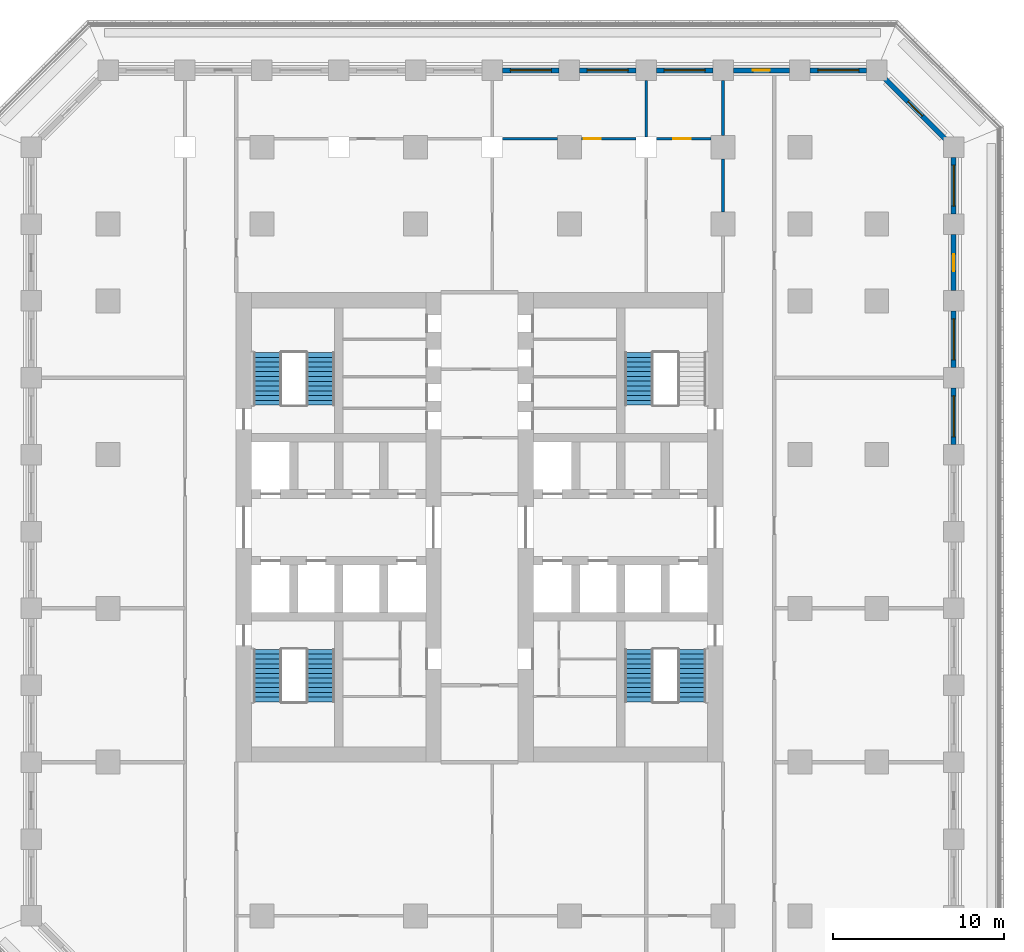
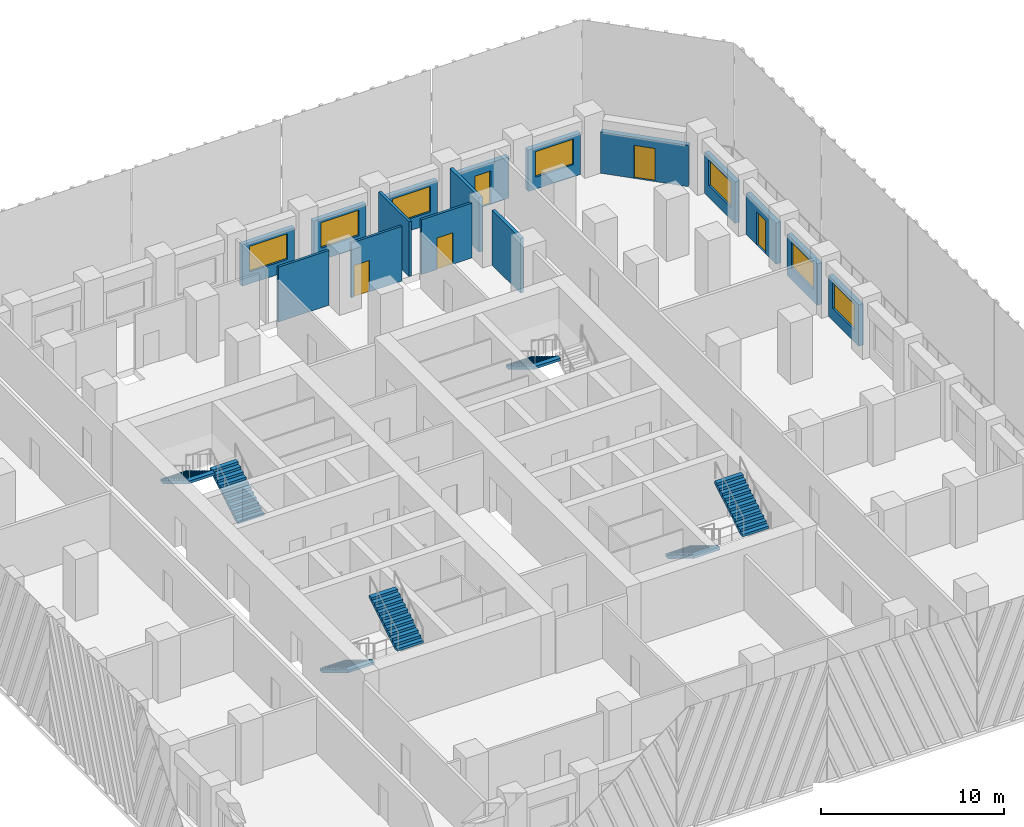
# One storey, part 8 of 19: 16 walls, 7 stair flights, 7 windows, 5 doors, 12 openings, 4 elements without a shape of their own.
"""IFC4 building model written with IfcOpenShell, lengths in metres."""

from ifc_helpers import new_model, si_unit, direction, frame, frame_2d, origin, place, context, subcontext, project, spatial, polyline, rectangle, outline, extrude, material, layer, layer_set, type_object, element, fill, aggregate, save


model = new_model("IFC4")

# Units and contexts
model_context = context("Model", 3, precision=1e-05, world=origin(), true_north=direction((0.0, 1.0)))
body_context = subcontext(model_context, "Body", "Model", "MODEL_VIEW")
ifc_project = project(units=[si_unit("LENGTHUNIT", "METRE"), si_unit("AREAUNIT", "SQUARE_METRE"), si_unit("VOLUMEUNIT", "CUBIC_METRE"), si_unit("PLANEANGLEUNIT", "RADIAN"), si_unit("MASSUNIT", "GRAM", prefix="KILO")], contexts=[model_context])

# Site, building, storey
site_placement = place(None, origin())
site = spatial("IfcSite", under=ifc_project, at=site_placement, CompositionType="ELEMENT")
building_placement = place(site_placement, origin())
building = spatial("IfcBuilding", under=site, at=building_placement, Name="Corbel Stack Research Tower", CompositionType="ELEMENT")
storey_placement = place(building_placement, frame((0.0, 0.0, 82.0)))
storey = spatial("IfcBuildingStorey", under=building, at=storey_placement, Name="L18", CompositionType="ELEMENT", Elevation=82.0)

# Walls
ifc_material_1 = material(Name="Fire-rated gypsum board partition on steel studs", Category="steel")
ifc_layer_1 = layer(ifc_material_1, 0.199951171875)
ifc_layer_set_1 = layer_set([ifc_layer_1], Name="Fire-rated gypsum board partition on steel studs")
wall_type_1 = type_object("IfcWallType", Name="Fire-rated partition 200 EI 60", PredefinedType="PARTITIONING", material=ifc_layer_set_1)
wall_1_placement = place(storey_placement, frame((18.0, 23.199951171875, 0.0), z_axis=(0.0, 0.0, 1.0), x_axis=(0.0, 1.0, 0.0)))
element("IfcWall", 1, at=wall_1_placement, inside=storey, type_object=wall_type_1, Name="Partition L18-014", PredefinedType="PARTITIONING", context=body_context, shape_type="SweptSolid", body=[
    extrude(rectangle(XDim=3.10009765625, YDim=0.199951171875, at=frame_2d((1.550048828125, 0.0))), origin(), (0.0, 0.0, 1.0), 3.64990234375),
])
wall_2_placement = place(storey_placement, frame((18.0, 27.699951171875, 0.0), z_axis=(0.0, 0.0, 1.0), x_axis=(0.0, 1.0, 0.0)))
element("IfcWall", 2, at=wall_2_placement, inside=storey, type_object=wall_type_1, Name="Partition L18-015", PredefinedType="PARTITIONING", context=body_context, shape_type="SweptSolid", body=[
    extrude(rectangle(XDim=3.199951171875, YDim=0.199951171875, at=frame_2d((1.60009765625, 0.0))), origin(), (0.0, 0.0, 1.0), 3.64990234375),
])
ifc_material_2 = material(Name="Gypsum board partition on steel studs", Category="steel")
ifc_layer_2 = layer(ifc_material_2, 0.14990234375)
ifc_layer_set_2 = layer_set([ifc_layer_2], Name="Gypsum board partition on steel studs")
wall_type_2 = type_object("IfcWallType", Name="Partition 150", PredefinedType="PARTITIONING", material=ifc_layer_set_2)
wall_3_placement = place(storey_placement, frame((13.5, 27.60009765625, 0.0), z_axis=(0.0, 0.0, 1.0), x_axis=(0.0, 1.0, 0.0)))
element("IfcWall", 3, at=wall_3_placement, inside=storey, type_object=wall_type_2, Name="Partition L18-009", PredefinedType="PARTITIONING", context=body_context, shape_type="SweptSolid", body=[
    extrude(rectangle(XDim=3.2998046875, YDim=0.14990234375, at=frame_2d((1.64990234375, 0.0))), origin(), (0.0, 0.0, 1.0), 3.64990234375),
])
wall_4_placement = place(storey_placement, frame((5.10009765625, 27.5, 0.0), z_axis=(0.0, 0.0, 1.0), x_axis=(1.0, 0.0, 0.0)))
element("IfcWall", 4, at=wall_4_placement, inside=storey, type_object=wall_type_2, Name="Partition L18-043", PredefinedType="PARTITIONING", context=body_context, shape_type="SweptSolid", body=[
    extrude(rectangle(XDim=3.199951171875, YDim=0.14990234375, at=frame_2d((1.60009765625, 0.0))), origin(), (0.0, 0.0, 1.0), 3.64990234375),
])

# Wall, opening, door
wall_5_placement = place(storey_placement, frame((9.699951171875, 27.5, 0.0), z_axis=(0.0, 0.0, 1.0), x_axis=(1.0, 0.0, 0.0)))
wall_5 = element("IfcWall", 5, at=wall_5_placement, inside=storey, type_object=wall_type_2, Name="Partition L18-044", PredefinedType="PARTITIONING", context=body_context, shape_type="SweptSolid", body=[
    extrude(rectangle(XDim=3.199951171875, YDim=0.14990234375, at=frame_2d((1.60009765625, 0.0))), origin(), (0.0, 0.0, 1.0), 3.64990234375),
])
opening_1_placement = place(wall_5_placement, frame((0.14990234375, 0.0, 0.0)))
opening_1 = element("IfcOpeningElement", 6, at=opening_1_placement, cuts=wall_5, Name="Opening B3V0H-023", PredefinedType="OPENING", context=body_context, shape_type="SweptSolid", body=[
    extrude(rectangle(XDim=1.0, YDim=2.10009765625, at=frame_2d((0.5, 1.050048828125))), frame((0.0, 0.0849609375, 0.0), z_axis=(0.0, -1.0, 0.0), x_axis=(1.0, 0.0, 0.0)), (0.0, 0.0, 1.0), 0.169921875),
])
ifc_material_3 = material(Name="Painted timber door", Category="wood")
door_type_1 = type_object("IfcDoorType", Name="Single door 1000 x 2100", OperationType="NOTDEFINED", PredefinedType="DOOR", material=ifc_material_3)
door_1_placement = place(opening_1_placement, origin())
door_1 = element("IfcDoor", 7, at=door_1_placement, inside=storey, type_object=door_type_1, Name="Door B3V0H-023", OperationType="SINGLE_SWING_LEFT", OverallHeight=2.10009765625, OverallWidth=1.0, PredefinedType="DOOR", context=body_context, shape_type="SweptSolid", body=[
    extrude(rectangle(XDim=1.0, YDim=2.10009765625, at=frame_2d((0.5, 1.050048828125))), frame((0.0, 0.02490234375, 0.0), z_axis=(0.0, -1.0, 0.0), x_axis=(1.0, 0.0, 0.0)), (0.0, 0.0, 1.0), 0.050048828125),
])
fill(opening_1, door_1)

wall_6_placement = place(storey_placement, frame((14.10009765625, 27.5, 0.0), z_axis=(0.0, 0.0, 1.0), x_axis=(1.0, 0.0, 0.0)))
wall_6 = element("IfcWall", 8, at=wall_6_placement, inside=storey, type_object=wall_type_2, Name="Partition L18-045", PredefinedType="PARTITIONING", context=body_context, shape_type="SweptSolid", body=[
    extrude(rectangle(XDim=3.199951171875, YDim=0.14990234375, at=frame_2d((1.60009765625, 0.0))), origin(), (0.0, 0.0, 1.0), 3.64990234375),
])
opening_2_placement = place(wall_6_placement, frame((1.0, 0.0, 0.0)))
opening_2 = element("IfcOpeningElement", 9, at=opening_2_placement, cuts=wall_6, Name="Opening B3V0H-024", PredefinedType="OPENING", context=body_context, shape_type="SweptSolid", body=[
    extrude(rectangle(XDim=1.0, YDim=2.10009765625, at=frame_2d((0.5, 1.050048828125))), frame((0.0, 0.0849609375, 0.0), z_axis=(0.0, -1.0, 0.0), x_axis=(1.0, 0.0, 0.0)), (0.0, 0.0, 1.0), 0.169921875),
])
door_2_placement = place(opening_2_placement, origin())
door_2 = element("IfcDoor", 10, at=door_2_placement, inside=storey, type_object=door_type_1, Name="Door B3V0H-024", OperationType="SINGLE_SWING_LEFT", OverallHeight=2.10009765625, OverallWidth=1.0, PredefinedType="DOOR", context=body_context, shape_type="SweptSolid", body=[
    extrude(rectangle(XDim=1.0, YDim=2.10009765625, at=frame_2d((0.5, 1.050048828125))), frame((0.0, 0.02490234375, 0.0), z_axis=(0.0, -1.0, 0.0), x_axis=(1.0, 0.0, 0.0)), (0.0, 0.0, 1.0), 0.050048828125),
])
fill(opening_2, door_2)

# Wall, opening, window
ifc_material_4 = material(Name="Concrete C45/55", Category="concrete")
ifc_layer_3 = layer(ifc_material_4, 0.300048828125)
ifc_layer_set_3 = layer_set([ifc_layer_3], Name="Concrete C45/55")
wall_type_3 = type_object("IfcWallType", Name="Terracotta-faced concrete wall 300", PredefinedType="SOLIDWALL", material=ifc_layer_set_3)
wall_7_placement = place(storey_placement, frame((31.5, 12.89990234375, 0.0), z_axis=(0.0, 0.0, 1.0), x_axis=(0.0, -1.0, 0.0)))
wall_7 = element("IfcWall", 11, at=wall_7_placement, inside=storey, type_object=wall_type_3, Name="Facade wall L18 E07", PredefinedType="SOLIDWALL", context=body_context, shape_type="SweptSolid", body=[
    extrude(rectangle(XDim=3.2998046875, YDim=0.300048828125, at=frame_2d((1.64990234375, 0.0))), origin(), (0.0, 0.0, 1.0), 2.75),
])
opening_3_placement = place(wall_7_placement, frame((0.449951171875, 0.0, 0.800048828125)))
opening_3 = element("IfcOpeningElement", 12, at=opening_3_placement, cuts=wall_7, Name="Opening W1", PredefinedType="OPENING", context=body_context, shape_type="SweptSolid", body=[
    extrude(rectangle(XDim=2.39990234375, YDim=1.699951171875, at=frame_2d((1.199951171875, 0.85009765625))), frame((0.0, 0.159912109375, 0.0), z_axis=(0.0, -1.0, 0.0), x_axis=(1.0, 0.0, 0.0)), (0.0, 0.0, 1.0), 0.320068359375),
])
ifc_material_5 = material(Name="Aluminium frame, clear double glazing", Category="aluminium")
window_type = type_object("IfcWindowType", Name="Window W1 2400 x 1700", PartitioningType="SINGLE_PANEL", PredefinedType="WINDOW", material=ifc_material_5)
window_1_placement = place(opening_3_placement, origin())
window_1 = element("IfcWindow", 13, at=window_1_placement, inside=storey, type_object=window_type, Name="Window W1 L18 E07", OverallHeight=1.699951171875, OverallWidth=2.39990234375, PartitioningType="SINGLE_PANEL", PredefinedType="WINDOW", context=body_context, shape_type="SweptSolid", body=[
    extrude(rectangle(XDim=2.39990234375, YDim=1.699951171875, at=frame_2d((1.199951171875, 0.85009765625))), frame((0.0, 0.030029296875, 0.0), z_axis=(0.0, -1.0, 0.0), x_axis=(1.0, 0.0, 0.0)), (0.0, 0.0, 1.0), 0.06005859375),
])
fill(opening_3, window_1)

wall_8_placement = place(storey_placement, frame((31.5, 17.39990234375, 0.0), z_axis=(0.0, 0.0, 1.0), x_axis=(0.0, -1.0, 0.0)))
wall_8 = element("IfcWall", 14, at=wall_8_placement, inside=storey, type_object=wall_type_3, Name="Facade wall L18 E08", PredefinedType="SOLIDWALL", context=body_context, shape_type="SweptSolid", body=[
    extrude(rectangle(XDim=3.2998046875, YDim=0.300048828125, at=frame_2d((1.64990234375, 0.0))), origin(), (0.0, 0.0, 1.0), 2.75),
])
opening_4_placement = place(wall_8_placement, frame((0.449951171875, 0.0, 0.800048828125)))
opening_4 = element("IfcOpeningElement", 15, at=opening_4_placement, cuts=wall_8, Name="Opening W1", PredefinedType="OPENING", context=body_context, shape_type="SweptSolid", body=[
    extrude(rectangle(XDim=2.39990234375, YDim=1.699951171875, at=frame_2d((1.199951171875, 0.85009765625))), frame((0.0, 0.159912109375, 0.0), z_axis=(0.0, -1.0, 0.0), x_axis=(1.0, 0.0, 0.0)), (0.0, 0.0, 1.0), 0.320068359375),
])
window_2_placement = place(opening_4_placement, origin())
window_2 = element("IfcWindow", 16, at=window_2_placement, inside=storey, type_object=window_type, Name="Window W1 L18 E08", OverallHeight=1.699951171875, OverallWidth=2.39990234375, PartitioningType="SINGLE_PANEL", PredefinedType="WINDOW", context=body_context, shape_type="SweptSolid", body=[
    extrude(rectangle(XDim=2.39990234375, YDim=1.699951171875, at=frame_2d((1.199951171875, 0.85009765625))), frame((0.0, 0.030029296875, 0.0), z_axis=(0.0, -1.0, 0.0), x_axis=(1.0, 0.0, 0.0)), (0.0, 0.0, 1.0), 0.06005859375),
])
fill(opening_4, window_2)

# Wall, opening, door
wall_9_placement = place(storey_placement, frame((31.5, 21.89990234375, 0.0), z_axis=(0.0, 0.0, 1.0), x_axis=(0.0, -1.0, 0.0)))
wall_9 = element("IfcWall", 17, at=wall_9_placement, inside=storey, type_object=wall_type_3, Name="Facade wall L18 E09", PredefinedType="SOLIDWALL", context=body_context, shape_type="SweptSolid", body=[
    extrude(rectangle(XDim=3.2998046875, YDim=0.300048828125, at=frame_2d((1.64990234375, 0.0))), origin(), (0.0, 0.0, 1.0), 2.75),
])
opening_5_placement = place(wall_9_placement, frame((1.14990234375, 0.0, 0.0)))
opening_5 = element("IfcOpeningElement", 18, at=opening_5_placement, cuts=wall_9, Name="Opening L18-B05", PredefinedType="OPENING", context=body_context, shape_type="SweptSolid", body=[
    extrude(rectangle(XDim=1.0, YDim=2.199951171875, at=frame_2d((0.5, 1.10009765625))), frame((0.0, 0.159912109375, 0.0), z_axis=(0.0, -1.0, 0.0), x_axis=(1.0, 0.0, 0.0)), (0.0, 0.0, 1.0), 0.320068359375),
])
ifc_material_6 = material(Name="Aluminium frame, clear double glazing", Category="aluminium")
door_type_2 = type_object("IfcDoorType", Name="Balcony door BD1 1000 x 2200", OperationType="NOTDEFINED", PredefinedType="DOOR", material=ifc_material_6)
door_3_placement = place(opening_5_placement, origin())
door_3 = element("IfcDoor", 19, at=door_3_placement, inside=storey, type_object=door_type_2, Name="Balcony door L18-B05", OperationType="SINGLE_SWING_LEFT", OverallHeight=2.199951171875, OverallWidth=1.0, PredefinedType="DOOR", context=body_context, shape_type="SweptSolid", body=[
    extrude(rectangle(XDim=1.0, YDim=2.199951171875, at=frame_2d((0.5, 1.10009765625))), frame((0.0, 0.02490234375, 0.0), z_axis=(0.0, -1.0, 0.0), x_axis=(1.0, 0.0, 0.0)), (0.0, 0.0, 1.0), 0.050048828125),
])
fill(opening_5, door_3)

# Wall, opening, window
wall_10_placement = place(storey_placement, frame((31.5, 26.39990234375, 0.0), z_axis=(0.0, 0.0, 1.0), x_axis=(0.0, -1.0, 0.0)))
wall_10 = element("IfcWall", 20, at=wall_10_placement, inside=storey, type_object=wall_type_3, Name="Facade wall L18 E10", PredefinedType="SOLIDWALL", context=body_context, shape_type="SweptSolid", body=[
    extrude(rectangle(XDim=3.2998046875, YDim=0.300048828125, at=frame_2d((1.64990234375, 0.0))), origin(), (0.0, 0.0, 1.0), 2.75),
])
opening_6_placement = place(wall_10_placement, frame((0.449951171875, 0.0, 0.800048828125)))
opening_6 = element("IfcOpeningElement", 21, at=opening_6_placement, cuts=wall_10, Name="Opening W1", PredefinedType="OPENING", context=body_context, shape_type="SweptSolid", body=[
    extrude(rectangle(XDim=2.39990234375, YDim=1.699951171875, at=frame_2d((1.199951171875, 0.85009765625))), frame((0.0, 0.159912109375, 0.0), z_axis=(0.0, -1.0, 0.0), x_axis=(1.0, 0.0, 0.0)), (0.0, 0.0, 1.0), 0.320068359375),
])
window_3_placement = place(opening_6_placement, origin())
window_3 = element("IfcWindow", 22, at=window_3_placement, inside=storey, type_object=window_type, Name="Window W1 L18 E10", OverallHeight=1.699951171875, OverallWidth=2.39990234375, PartitioningType="SINGLE_PANEL", PredefinedType="WINDOW", context=body_context, shape_type="SweptSolid", body=[
    extrude(rectangle(XDim=2.39990234375, YDim=1.699951171875, at=frame_2d((1.199951171875, 0.85009765625))), frame((0.0, 0.030029296875, 0.0), z_axis=(0.0, -1.0, 0.0), x_axis=(1.0, 0.0, 0.0)), (0.0, 0.0, 1.0), 0.06005859375),
])
fill(opening_6, window_3)

# Wall, opening, door
wall_11_placement = place(storey_placement, frame((27.493896484375, 31.006103515625, 0.0), z_axis=(0.0, 0.0, 1.0), x_axis=(0.707106781187, -0.707106781187, 0.0)))
wall_11 = element("IfcWall", 23, at=wall_11_placement, inside=storey, type_object=wall_type_3, Name="Facade wall L18 NE01", PredefinedType="SOLIDWALL", context=body_context, shape_type="SweptSolid", body=[
    extrude(rectangle(XDim=4.967041015625, YDim=0.300048828125, at=frame_2d((2.4833984375, 0.0))), origin(), (0.0, 0.0, 1.0), 2.75),
])
opening_7_placement = place(wall_11_placement, frame((1.883544921875, 0.0, 0.0)))
opening_7 = element("IfcOpeningElement", 24, at=opening_7_placement, cuts=wall_11, Name="Opening L18-B06", PredefinedType="OPENING", context=body_context, shape_type="SweptSolid", body=[
    extrude(rectangle(XDim=1.199951171875, YDim=2.199951171875, at=frame_2d((0.60009765625, 1.10009765625))), frame((0.0, 0.159912109375, 0.0), z_axis=(0.0, -1.0, 0.0), x_axis=(1.0, 0.0, 0.0)), (0.0, 0.0, 1.0), 0.320068359375),
])
ifc_material_7 = material(Name="Aluminium frame, clear double glazing", Category="aluminium")
door_type_3 = type_object("IfcDoorType", Name="Balcony door BD2 1200 x 2200", OperationType="NOTDEFINED", PredefinedType="DOOR", material=ifc_material_7)
door_4_placement = place(opening_7_placement, origin())
door_4 = element("IfcDoor", 25, at=door_4_placement, inside=storey, type_object=door_type_3, Name="Balcony door L18-B06", OperationType="SINGLE_SWING_LEFT", OverallHeight=2.199951171875, OverallWidth=1.199951171875, PredefinedType="DOOR", context=body_context, shape_type="SweptSolid", body=[
    extrude(rectangle(XDim=1.199951171875, YDim=2.199951171875, at=frame_2d((0.60009765625, 1.10009765625))), frame((0.0, 0.02490234375, 0.0), z_axis=(0.0, -1.0, 0.0), x_axis=(1.0, 0.0, 0.0)), (0.0, 0.0, 1.0), 0.050048828125),
])
fill(opening_7, door_4)

# Wall, opening, window
wall_12_placement = place(storey_placement, frame((23.10009765625, 31.5, 0.0), z_axis=(0.0, 0.0, 1.0), x_axis=(1.0, 0.0, 0.0)))
wall_12 = element("IfcWall", 26, at=wall_12_placement, inside=storey, type_object=wall_type_3, Name="Facade wall L18 N01", PredefinedType="SOLIDWALL", context=body_context, shape_type="SweptSolid", body=[
    extrude(rectangle(XDim=3.2998046875, YDim=0.300048828125, at=frame_2d((1.64990234375, 0.0))), origin(), (0.0, 0.0, 1.0), 2.75),
])
opening_8_placement = place(wall_12_placement, frame((0.449951171875, 0.0, 0.800048828125)))
opening_8 = element("IfcOpeningElement", 27, at=opening_8_placement, cuts=wall_12, Name="Opening W1", PredefinedType="OPENING", context=body_context, shape_type="SweptSolid", body=[
    extrude(rectangle(XDim=2.39990234375, YDim=1.699951171875, at=frame_2d((1.199951171875, 0.85009765625))), frame((0.0, 0.159912109375, 0.0), z_axis=(0.0, -1.0, 0.0), x_axis=(1.0, 0.0, 0.0)), (0.0, 0.0, 1.0), 0.320068359375),
])
window_4_placement = place(opening_8_placement, origin())
window_4 = element("IfcWindow", 28, at=window_4_placement, inside=storey, type_object=window_type, Name="Window W1 L18 N01", OverallHeight=1.699951171875, OverallWidth=2.39990234375, PartitioningType="SINGLE_PANEL", PredefinedType="WINDOW", context=body_context, shape_type="SweptSolid", body=[
    extrude(rectangle(XDim=2.39990234375, YDim=1.699951171875, at=frame_2d((1.199951171875, 0.85009765625))), frame((0.0, 0.030029296875, 0.0), z_axis=(0.0, -1.0, 0.0), x_axis=(1.0, 0.0, 0.0)), (0.0, 0.0, 1.0), 0.06005859375),
])
fill(opening_8, window_4)

# Wall, opening, door
wall_13_placement = place(storey_placement, frame((18.60009765625, 31.5, 0.0), z_axis=(0.0, 0.0, 1.0), x_axis=(1.0, 0.0, 0.0)))
wall_13 = element("IfcWall", 29, at=wall_13_placement, inside=storey, type_object=wall_type_3, Name="Facade wall L18 N02", PredefinedType="SOLIDWALL", context=body_context, shape_type="SweptSolid", body=[
    extrude(rectangle(XDim=3.2998046875, YDim=0.300048828125, at=frame_2d((1.64990234375, 0.0))), origin(), (0.0, 0.0, 1.0), 2.75),
])
opening_9_placement = place(wall_13_placement, frame((1.14990234375, 0.0, 0.0)))
opening_9 = element("IfcOpeningElement", 30, at=opening_9_placement, cuts=wall_13, Name="Opening L18-B07", PredefinedType="OPENING", context=body_context, shape_type="SweptSolid", body=[
    extrude(rectangle(XDim=1.0, YDim=2.199951171875, at=frame_2d((0.5, 1.10009765625))), frame((0.0, 0.159912109375, 0.0), z_axis=(0.0, -1.0, 0.0), x_axis=(1.0, 0.0, 0.0)), (0.0, 0.0, 1.0), 0.320068359375),
])
door_5_placement = place(opening_9_placement, origin())
door_5 = element("IfcDoor", 31, at=door_5_placement, inside=storey, type_object=door_type_2, Name="Balcony door L18-B07", OperationType="SINGLE_SWING_RIGHT", OverallHeight=2.199951171875, OverallWidth=1.0, PredefinedType="DOOR", context=body_context, shape_type="SweptSolid", body=[
    extrude(rectangle(XDim=1.0, YDim=2.199951171875, at=frame_2d((0.5, 1.10009765625))), frame((0.0, 0.02490234375, 0.0), z_axis=(0.0, -1.0, 0.0), x_axis=(1.0, 0.0, 0.0)), (0.0, 0.0, 1.0), 0.050048828125),
])
fill(opening_9, door_5)

# Wall, opening, window
wall_14_placement = place(storey_placement, frame((14.10009765625, 31.5, 0.0), z_axis=(0.0, 0.0, 1.0), x_axis=(1.0, 0.0, 0.0)))
wall_14 = element("IfcWall", 32, at=wall_14_placement, inside=storey, type_object=wall_type_3, Name="Facade wall L18 N03", PredefinedType="SOLIDWALL", context=body_context, shape_type="SweptSolid", body=[
    extrude(rectangle(XDim=3.2998046875, YDim=0.300048828125, at=frame_2d((1.64990234375, 0.0))), origin(), (0.0, 0.0, 1.0), 2.75),
])
opening_10_placement = place(wall_14_placement, frame((0.449951171875, 0.0, 0.800048828125)))
opening_10 = element("IfcOpeningElement", 33, at=opening_10_placement, cuts=wall_14, Name="Opening W1", PredefinedType="OPENING", context=body_context, shape_type="SweptSolid", body=[
    extrude(rectangle(XDim=2.39990234375, YDim=1.699951171875, at=frame_2d((1.199951171875, 0.85009765625))), frame((0.0, 0.159912109375, 0.0), z_axis=(0.0, -1.0, 0.0), x_axis=(1.0, 0.0, 0.0)), (0.0, 0.0, 1.0), 0.320068359375),
])
window_5_placement = place(opening_10_placement, origin())
window_5 = element("IfcWindow", 34, at=window_5_placement, inside=storey, type_object=window_type, Name="Window W1 L18 N03", OverallHeight=1.699951171875, OverallWidth=2.39990234375, PartitioningType="SINGLE_PANEL", PredefinedType="WINDOW", context=body_context, shape_type="SweptSolid", body=[
    extrude(rectangle(XDim=2.39990234375, YDim=1.699951171875, at=frame_2d((1.199951171875, 0.85009765625))), frame((0.0, 0.030029296875, 0.0), z_axis=(0.0, -1.0, 0.0), x_axis=(1.0, 0.0, 0.0)), (0.0, 0.0, 1.0), 0.06005859375),
])
fill(opening_10, window_5)

wall_15_placement = place(storey_placement, frame((9.60009765625, 31.5, 0.0), z_axis=(0.0, 0.0, 1.0), x_axis=(1.0, 0.0, 0.0)))
wall_15 = element("IfcWall", 35, at=wall_15_placement, inside=storey, type_object=wall_type_3, Name="Facade wall L18 N04", PredefinedType="SOLIDWALL", context=body_context, shape_type="SweptSolid", body=[
    extrude(rectangle(XDim=3.2998046875, YDim=0.300048828125, at=frame_2d((1.64990234375, 0.0))), origin(), (0.0, 0.0, 1.0), 2.75),
])
opening_11_placement = place(wall_15_placement, frame((0.449951171875, 0.0, 0.800048828125)))
opening_11 = element("IfcOpeningElement", 36, at=opening_11_placement, cuts=wall_15, Name="Opening W1", PredefinedType="OPENING", context=body_context, shape_type="SweptSolid", body=[
    extrude(rectangle(XDim=2.39990234375, YDim=1.699951171875, at=frame_2d((1.199951171875, 0.85009765625))), frame((0.0, 0.159912109375, 0.0), z_axis=(0.0, -1.0, 0.0), x_axis=(1.0, 0.0, 0.0)), (0.0, 0.0, 1.0), 0.320068359375),
])
window_6_placement = place(opening_11_placement, origin())
window_6 = element("IfcWindow", 37, at=window_6_placement, inside=storey, type_object=window_type, Name="Window W1 L18 N04", OverallHeight=1.699951171875, OverallWidth=2.39990234375, PartitioningType="SINGLE_PANEL", PredefinedType="WINDOW", context=body_context, shape_type="SweptSolid", body=[
    extrude(rectangle(XDim=2.39990234375, YDim=1.699951171875, at=frame_2d((1.199951171875, 0.85009765625))), frame((0.0, 0.030029296875, 0.0), z_axis=(0.0, -1.0, 0.0), x_axis=(1.0, 0.0, 0.0)), (0.0, 0.0, 1.0), 0.06005859375),
])
fill(opening_11, window_6)

wall_16_placement = place(storey_placement, frame((5.10009765625, 31.5, 0.0), z_axis=(0.0, 0.0, 1.0), x_axis=(1.0, 0.0, 0.0)))
wall_16 = element("IfcWall", 38, at=wall_16_placement, inside=storey, type_object=wall_type_3, Name="Facade wall L18 N05", PredefinedType="SOLIDWALL", context=body_context, shape_type="SweptSolid", body=[
    extrude(rectangle(XDim=3.2998046875, YDim=0.300048828125, at=frame_2d((1.64990234375, 0.0))), origin(), (0.0, 0.0, 1.0), 2.75),
])
opening_12_placement = place(wall_16_placement, frame((0.449951171875, 0.0, 0.800048828125)))
opening_12 = element("IfcOpeningElement", 39, at=opening_12_placement, cuts=wall_16, Name="Opening W1", PredefinedType="OPENING", context=body_context, shape_type="SweptSolid", body=[
    extrude(rectangle(XDim=2.39990234375, YDim=1.699951171875, at=frame_2d((1.199951171875, 0.85009765625))), frame((0.0, 0.159912109375, 0.0), z_axis=(0.0, -1.0, 0.0), x_axis=(1.0, 0.0, 0.0)), (0.0, 0.0, 1.0), 0.320068359375),
])
window_7_placement = place(opening_12_placement, origin())
window_7 = element("IfcWindow", 40, at=window_7_placement, inside=storey, type_object=window_type, Name="Window W1 L18 N05", OverallHeight=1.699951171875, OverallWidth=2.39990234375, PartitioningType="SINGLE_PANEL", PredefinedType="WINDOW", context=body_context, shape_type="SweptSolid", body=[
    extrude(rectangle(XDim=2.39990234375, YDim=1.699951171875, at=frame_2d((1.199951171875, 0.85009765625))), frame((0.0, 0.030029296875, 0.0), z_axis=(0.0, -1.0, 0.0), x_axis=(1.0, 0.0, 0.0)), (0.0, 0.0, 1.0), 0.06005859375),
])
fill(opening_12, window_7)

# Stair, stair flights
ifc_material_8 = material(Name="Concrete C40/50", Category="concrete")
stair_type = type_object("IfcStairType", Name="Exit stair 24 risers", PredefinedType="HALF_TURN_STAIR", material=ifc_material_8)
stair_1_placement = place(storey_placement, origin())
stair_1 = element("IfcStair", 41, at=stair_1_placement, inside=storey, type_object=stair_type, Name="L18 Exit stair ST-W1", PredefinedType="HALF_TURN_STAIR")
ifc_material_9 = material(Name="Concrete C40/50", Category="concrete")
stair_flight_type = type_object("IfcStairFlightType", Name="Stair flight 12 risers", PredefinedType="STRAIGHT", material=ifc_material_9)
stair_flight_1_placement = place(storey_placement, frame((-8.675048828125, -2.39990234375, 0.0), z_axis=(0.0, 0.0, 1.0), x_axis=(0.0, -1.0, 0.0)))
stair_flight_1 = element("IfcStairFlight", 42, at=stair_flight_1_placement, type_object=stair_flight_type, Name="ST-W1 flight 1", NumberOfRisers=12, NumberOfTreads=11, PredefinedType="STRAIGHT", RiserHeight=0.170833333, TreadLength=0.28, context=body_context, shape_type="SweptSolid", body=[
    extrude(outline(polyline([(0.0, 0.0), (0.0, 0.1708984375), (0.280029296875, 0.1708984375), (0.280029296875, 0.341552734375), (0.56005859375, 0.341552734375), (0.56005859375, 0.512451171875), (0.840087890625, 0.512451171875), (0.840087890625, 0.683349609375), (1.1201171875, 0.683349609375), (1.1201171875, 0.854248046875), (1.39990234375, 0.854248046875), (1.39990234375, 1.02490234375), (1.679931640625, 1.02490234375), (1.679931640625, 1.19580078125), (1.9599609375, 1.19580078125), (1.9599609375, 1.36669921875), (2.239990234375, 1.36669921875), (2.239990234375, 1.53759765625), (2.52001953125, 1.53759765625), (2.52001953125, 1.708251953125), (2.800048828125, 1.708251953125), (2.800048828125, 1.879150390625), (3.080078125, 1.879150390625), (3.080078125, 2.050048828125), (3.080078125, 1.70361328125), (0.287841796875, 0.0), (0.0, 0.0)])), frame((0.0, 0.824951171875, 0.0), z_axis=(0.0, -1.0, 0.0), x_axis=(1.0, 0.0, 0.0)), (0.0, 0.0, 1.0), 1.64990234375),
])
stair_flight_2_placement = place(storey_placement, frame((-5.574951171875, -5.47998046875, 2.050048828125), z_axis=(0.0, 0.0, 1.0), x_axis=(0.0, 1.0, 0.0)))
stair_flight_2 = element("IfcStairFlight", 43, at=stair_flight_2_placement, type_object=stair_flight_type, Name="ST-W1 flight 2", NumberOfRisers=12, NumberOfTreads=11, PredefinedType="STRAIGHT", RiserHeight=0.170833333, TreadLength=0.28, context=body_context, shape_type="SweptSolid", body=[
    extrude(outline(polyline([(0.0, 0.0), (0.0, 0.1708984375), (0.280029296875, 0.1708984375), (0.280029296875, 0.341552734375), (0.56005859375, 0.341552734375), (0.56005859375, 0.512451171875), (0.840087890625, 0.512451171875), (0.840087890625, 0.683349609375), (1.1201171875, 0.683349609375), (1.1201171875, 0.854248046875), (1.39990234375, 0.854248046875), (1.39990234375, 1.02490234375), (1.679931640625, 1.02490234375), (1.679931640625, 1.19580078125), (1.9599609375, 1.19580078125), (1.9599609375, 1.36669921875), (2.239990234375, 1.36669921875), (2.239990234375, 1.53759765625), (2.52001953125, 1.53759765625), (2.52001953125, 1.708251953125), (2.800048828125, 1.708251953125), (2.800048828125, 1.879150390625), (3.080078125, 1.879150390625), (3.080078125, 2.050048828125), (3.080078125, 1.70361328125), (0.287841796875, 0.0), (0.0, 0.0)])), frame((0.0, 0.824951171875, 0.0), z_axis=(0.0, -1.0, 0.0), x_axis=(1.0, 0.0, 0.0)), (0.0, 0.0, 1.0), 1.64990234375),
])
aggregate(stair_1, [stair_flight_1, stair_flight_2])

stair_2_placement = place(storey_placement, origin())
stair_2 = element("IfcStair", 44, at=stair_2_placement, inside=storey, type_object=stair_type, Name="L18 Exit stair ST-W2", PredefinedType="HALF_TURN_STAIR")
stair_flight_3_placement = place(storey_placement, frame((-5.574951171875, 11.89990234375, 0.0), z_axis=(0.0, 0.0, 1.0), x_axis=(0.0, 1.0, 0.0)))
stair_flight_3 = element("IfcStairFlight", 45, at=stair_flight_3_placement, type_object=stair_flight_type, Name="ST-W2 flight 1", NumberOfRisers=12, NumberOfTreads=11, PredefinedType="STRAIGHT", RiserHeight=0.170833333, TreadLength=0.28, context=body_context, shape_type="SweptSolid", body=[
    extrude(outline(polyline([(0.0, 0.0), (0.0, 0.1708984375), (0.280029296875, 0.1708984375), (0.280029296875, 0.341552734375), (0.56005859375, 0.341552734375), (0.56005859375, 0.512451171875), (0.840087890625, 0.512451171875), (0.840087890625, 0.683349609375), (1.1201171875, 0.683349609375), (1.1201171875, 0.854248046875), (1.39990234375, 0.854248046875), (1.39990234375, 1.02490234375), (1.679931640625, 1.02490234375), (1.679931640625, 1.19580078125), (1.9599609375, 1.19580078125), (1.9599609375, 1.36669921875), (2.239990234375, 1.36669921875), (2.239990234375, 1.53759765625), (2.52001953125, 1.53759765625), (2.52001953125, 1.708251953125), (2.800048828125, 1.708251953125), (2.800048828125, 1.879150390625), (3.080078125, 1.879150390625), (3.080078125, 2.050048828125), (3.080078125, 1.70361328125), (0.287841796875, 0.0), (0.0, 0.0)])), frame((0.0, 0.824951171875, 0.0), z_axis=(0.0, -1.0, 0.0), x_axis=(1.0, 0.0, 0.0)), (0.0, 0.0, 1.0), 1.64990234375),
])
stair_flight_4_placement = place(storey_placement, frame((-8.675048828125, 14.97998046875, 2.050048828125), z_axis=(0.0, 0.0, 1.0), x_axis=(0.0, -1.0, 0.0)))
stair_flight_4 = element("IfcStairFlight", 46, at=stair_flight_4_placement, type_object=stair_flight_type, Name="ST-W2 flight 2", NumberOfRisers=12, NumberOfTreads=11, PredefinedType="STRAIGHT", RiserHeight=0.170833333, TreadLength=0.28, context=body_context, shape_type="SweptSolid", body=[
    extrude(outline(polyline([(0.0, 0.0), (0.0, 0.1708984375), (0.280029296875, 0.1708984375), (0.280029296875, 0.341552734375), (0.56005859375, 0.341552734375), (0.56005859375, 0.512451171875), (0.840087890625, 0.512451171875), (0.840087890625, 0.683349609375), (1.1201171875, 0.683349609375), (1.1201171875, 0.854248046875), (1.39990234375, 0.854248046875), (1.39990234375, 1.02490234375), (1.679931640625, 1.02490234375), (1.679931640625, 1.19580078125), (1.9599609375, 1.19580078125), (1.9599609375, 1.36669921875), (2.239990234375, 1.36669921875), (2.239990234375, 1.53759765625), (2.52001953125, 1.53759765625), (2.52001953125, 1.708251953125), (2.800048828125, 1.708251953125), (2.800048828125, 1.879150390625), (3.080078125, 1.879150390625), (3.080078125, 2.050048828125), (3.080078125, 1.70361328125), (0.287841796875, 0.0), (0.0, 0.0)])), frame((0.0, 0.824951171875, 0.0), z_axis=(0.0, -1.0, 0.0), x_axis=(1.0, 0.0, 0.0)), (0.0, 0.0, 1.0), 1.64990234375),
])
aggregate(stair_2, [stair_flight_3, stair_flight_4])

stair_3_placement = place(storey_placement, origin())
stair_3 = element("IfcStair", 47, at=stair_3_placement, inside=storey, type_object=stair_type, Name="L18 Exit stair ST-E1", PredefinedType="HALF_TURN_STAIR")
stair_flight_5_placement = place(storey_placement, frame((13.074951171875, -2.39990234375, 0.0), z_axis=(0.0, 0.0, 1.0), x_axis=(0.0, -1.0, 0.0)))
stair_flight_5 = element("IfcStairFlight", 48, at=stair_flight_5_placement, type_object=stair_flight_type, Name="ST-E1 flight 1", NumberOfRisers=12, NumberOfTreads=11, PredefinedType="STRAIGHT", RiserHeight=0.170833333, TreadLength=0.28, context=body_context, shape_type="SweptSolid", body=[
    extrude(outline(polyline([(0.0, 0.0), (0.0, 0.1708984375), (0.280029296875, 0.1708984375), (0.280029296875, 0.341552734375), (0.56005859375, 0.341552734375), (0.56005859375, 0.512451171875), (0.840087890625, 0.512451171875), (0.840087890625, 0.683349609375), (1.1201171875, 0.683349609375), (1.1201171875, 0.854248046875), (1.39990234375, 0.854248046875), (1.39990234375, 1.02490234375), (1.679931640625, 1.02490234375), (1.679931640625, 1.19580078125), (1.9599609375, 1.19580078125), (1.9599609375, 1.36669921875), (2.239990234375, 1.36669921875), (2.239990234375, 1.53759765625), (2.52001953125, 1.53759765625), (2.52001953125, 1.708251953125), (2.800048828125, 1.708251953125), (2.800048828125, 1.879150390625), (3.080078125, 1.879150390625), (3.080078125, 2.050048828125), (3.080078125, 1.70361328125), (0.287841796875, 0.0), (0.0, 0.0)])), frame((0.0, 0.824951171875, 0.0), z_axis=(0.0, -1.0, 0.0), x_axis=(1.0, 0.0, 0.0)), (0.0, 0.0, 1.0), 1.64990234375),
])
stair_flight_6_placement = place(storey_placement, frame((16.175048828125, -5.47998046875, 2.050048828125), z_axis=(0.0, 0.0, 1.0), x_axis=(0.0, 1.0, 0.0)))
stair_flight_6 = element("IfcStairFlight", 49, at=stair_flight_6_placement, type_object=stair_flight_type, Name="ST-E1 flight 2", NumberOfRisers=12, NumberOfTreads=11, PredefinedType="STRAIGHT", RiserHeight=0.170833333, TreadLength=0.28, context=body_context, shape_type="SweptSolid", body=[
    extrude(outline(polyline([(0.0, 0.0), (0.0, 0.1708984375), (0.280029296875, 0.1708984375), (0.280029296875, 0.341552734375), (0.56005859375, 0.341552734375), (0.56005859375, 0.512451171875), (0.840087890625, 0.512451171875), (0.840087890625, 0.683349609375), (1.1201171875, 0.683349609375), (1.1201171875, 0.854248046875), (1.39990234375, 0.854248046875), (1.39990234375, 1.02490234375), (1.679931640625, 1.02490234375), (1.679931640625, 1.19580078125), (1.9599609375, 1.19580078125), (1.9599609375, 1.36669921875), (2.239990234375, 1.36669921875), (2.239990234375, 1.53759765625), (2.52001953125, 1.53759765625), (2.52001953125, 1.708251953125), (2.800048828125, 1.708251953125), (2.800048828125, 1.879150390625), (3.080078125, 1.879150390625), (3.080078125, 2.050048828125), (3.080078125, 1.70361328125), (0.287841796875, 0.0), (0.0, 0.0)])), frame((0.0, 0.824951171875, 0.0), z_axis=(0.0, -1.0, 0.0), x_axis=(1.0, 0.0, 0.0)), (0.0, 0.0, 1.0), 1.64990234375),
])
aggregate(stair_3, [stair_flight_5, stair_flight_6])

# Stair, stair flight
stair_4_placement = place(storey_placement, origin())
stair_4 = element("IfcStair", 50, at=stair_4_placement, inside=storey, type_object=stair_type, Name="L18 Exit stair ST-E2", PredefinedType="HALF_TURN_STAIR")
stair_flight_7_placement = place(storey_placement, frame((13.074951171875, 14.97998046875, 2.050048828125), z_axis=(0.0, 0.0, 1.0), x_axis=(0.0, -1.0, 0.0)))
stair_flight_7 = element("IfcStairFlight", 51, at=stair_flight_7_placement, type_object=stair_flight_type, Name="ST-E2 flight 2", NumberOfRisers=12, NumberOfTreads=11, PredefinedType="STRAIGHT", RiserHeight=0.170833333, TreadLength=0.28, context=body_context, shape_type="SweptSolid", body=[
    extrude(outline(polyline([(0.0, 0.0), (0.0, 0.1708984375), (0.280029296875, 0.1708984375), (0.280029296875, 0.341552734375), (0.56005859375, 0.341552734375), (0.56005859375, 0.512451171875), (0.840087890625, 0.512451171875), (0.840087890625, 0.683349609375), (1.1201171875, 0.683349609375), (1.1201171875, 0.854248046875), (1.39990234375, 0.854248046875), (1.39990234375, 1.02490234375), (1.679931640625, 1.02490234375), (1.679931640625, 1.19580078125), (1.9599609375, 1.19580078125), (1.9599609375, 1.36669921875), (2.239990234375, 1.36669921875), (2.239990234375, 1.53759765625), (2.52001953125, 1.53759765625), (2.52001953125, 1.708251953125), (2.800048828125, 1.708251953125), (2.800048828125, 1.879150390625), (3.080078125, 1.879150390625), (3.080078125, 2.050048828125), (3.080078125, 1.70361328125), (0.287841796875, 0.0), (0.0, 0.0)])), frame((0.0, 0.824951171875, 0.0), z_axis=(0.0, -1.0, 0.0), x_axis=(1.0, 0.0, 0.0)), (0.0, 0.0, 1.0), 1.64990234375),
])
aggregate(stair_4, [stair_flight_7])

save(model, "model.ifc")
